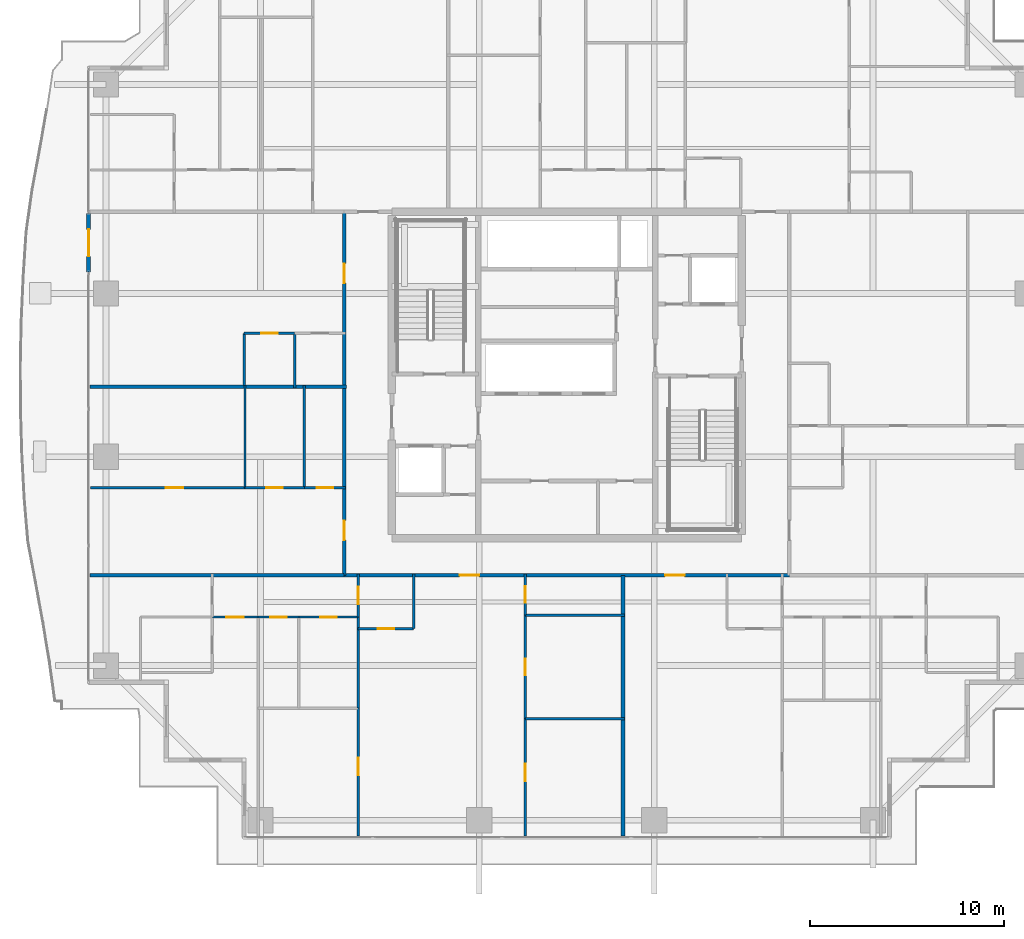
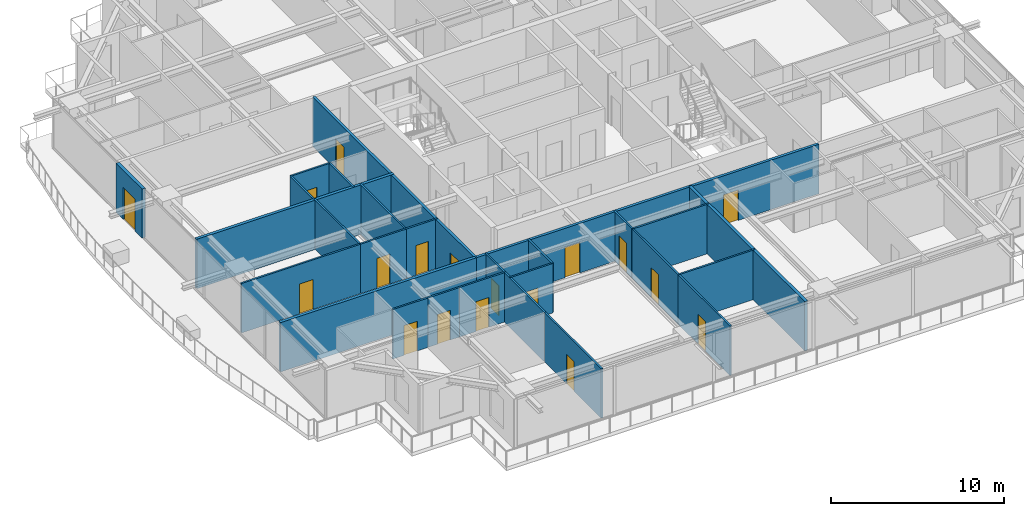
# One storey, part 26 of 37: 27 walls, 18 doors, 18 openings.
"""IFC4 building model written with IfcOpenShell, lengths in metres."""

from ifc_helpers import new_model, si_unit, direction, frame, frame_2d, origin, place, context, subcontext, project, spatial, rectangle, extrude, source, transform, mapped, material, layer, layer_set, type_object, element, fill, save


model = new_model("IFC4")

# Units and contexts
model_context = context("Model", 3, precision=1e-05, world=origin(), true_north=direction((0.0, 1.0)))
body_context = subcontext(model_context, "Body", "Model", "MODEL_VIEW")
ifc_project = project(units=[si_unit("LENGTHUNIT", "METRE"), si_unit("AREAUNIT", "SQUARE_METRE"), si_unit("VOLUMEUNIT", "CUBIC_METRE"), si_unit("PLANEANGLEUNIT", "RADIAN"), si_unit("MASSUNIT", "GRAM", prefix="KILO")], contexts=[model_context])

# Site, building, storey
site_placement = place(None, origin())
site = spatial("IfcSite", under=ifc_project, at=site_placement, CompositionType="ELEMENT")
building_placement = place(site_placement, origin())
building = spatial("IfcBuilding", under=site, at=building_placement, Name="Serunith Strait Residences", CompositionType="ELEMENT")
storey_placement = place(building_placement, frame((0.0, 0.0, 153.89990234375)))
storey = spatial("IfcBuildingStorey", under=building, at=storey_placement, Name="L38", CompositionType="ELEMENT", Elevation=153.89990234375)

# Wall, opening, door
ifc_material_1 = material(Name="Pale-Champagne Aluminium Insulated Panel", Category="aluminium")
ifc_layer_1 = layer(ifc_material_1, 0.219970703125, Name="Pale-Champagne Aluminium Insulated Panel")
ifc_layer_set_1 = layer_set([ifc_layer_1], Name="Pale-Champagne Aluminium Insulated Panel")
wall_type_1 = type_object("IfcWallType", Name="EW-ALUM-220", PredefinedType="ELEMENTEDWALL", material=ifc_layer_set_1)
wall_1_placement = place(storey_placement, frame((7.800048828125, 33.5, 0.0), z_axis=(0.0, 0.0, 1.0), x_axis=(0.0, -1.0, 0.0)))
wall_1 = element("IfcWall", 1, at=wall_1_placement, inside=storey, type_object=wall_type_1, Name="L38 W Facade Pier Wall", PredefinedType="ELEMENTEDWALL", context=body_context, shape_type="SweptSolid", body=[
    extrude(rectangle(XDim=3.0, YDim=0.219970703125, at=frame_2d((1.5, 0.0))), origin(), (0.0, 0.0, 1.0), 3.47509765625),
])
opening_1_placement = place(wall_1_placement, frame((0.800048828125, 0.0, 0.0)))
opening_1 = element("IfcOpeningElement", 2, at=opening_1_placement, cuts=wall_1, Name="Opening ED-04", PredefinedType="OPENING", context=body_context, shape_type="SweptSolid", body=[
    extrude(rectangle(XDim=1.39990234375, YDim=2.25, at=frame_2d((0.699951171875, 1.125))), frame((0.0, 0.1201171875, 0.0), z_axis=(0.0, -1.0, 0.0), x_axis=(1.0, 0.0, 0.0)), (0.0, 0.0, 1.0), 0.239990234375),
])
ifc_material_2 = material(Name="Thermally-Broken Aluminium Sliding Balcony Door", Category="aluminium")
door_type_1 = type_object("IfcDoorType", Name="ED-BALC-1400", OperationType="NOTDEFINED", PredefinedType="DOOR", material=ifc_material_2)
shared_shape_1 = source(origin(), body_context, "Body", "SweptSolid", [
    extrude(rectangle(XDim=1.39990234375, YDim=2.25, at=frame_2d((0.699951171875, 1.125))), frame((0.0, 0.02490234375, 0.0), z_axis=(0.0, -1.0, 0.0), x_axis=(1.0, 0.0, 0.0)), (0.0, 0.0, 1.0), 0.050048828125),
])
door_1_placement = place(opening_1_placement, origin())
door_1 = element("IfcDoor", 3, at=door_1_placement, inside=storey, type_object=door_type_1, Name="L38 W Vertical-Forest Balcony Door", OperationType="SLIDING_TO_LEFT", OverallHeight=2.25, OverallWidth=1.39990234375, PredefinedType="DOOR", context=body_context, shape_type="MappedRepresentation", body=[
    mapped(shared_shape_1, transform((0.0, 0.0, 0.0), scale=1.0)),
])
fill(opening_1, door_1)

# Wall, openings, doors
ifc_material_3 = material(Name="Fire-rated acoustic gypsum partition")
ifc_layer_2 = layer(ifc_material_3, 0.179931640625, Name="Fire-rated acoustic gypsum partition")
ifc_layer_set_2 = layer_set([ifc_layer_2], Name="Fire-rated acoustic gypsum partition")
wall_type_2 = type_object("IfcWallType", Name="IW-CORR-180", PredefinedType="PARTITIONING", material=ifc_layer_set_2)
wall_2_placement = place(storey_placement, frame((20.951904296875, 14.89990234375, 0.0), z_axis=(0.0, 0.0, 1.0), x_axis=(1.0, 0.0, 0.0)))
wall_2 = element("IfcWall", 4, at=wall_2_placement, inside=storey, type_object=wall_type_2, Name="L38 Partition Wall 027", PredefinedType="PARTITIONING", context=body_context, shape_type="SweptSolid", body=[
    extrude(rectangle(XDim=22.89599609375, YDim=0.179931640625, at=frame_2d((11.447998046875, 0.0))), origin(), (0.0, 0.0, 1.0), 3.489990234375),
])
opening_2_placement = place(wall_2_placement, frame((5.93408203125, 0.0, 0.0)))
opening_2 = element("IfcOpeningElement", 5, at=opening_2_placement, cuts=wall_2, Name="Opening D-APT1000", PredefinedType="OPENING", context=body_context, shape_type="SweptSolid", body=[
    extrude(rectangle(XDim=1.0, YDim=2.14990234375, at=frame_2d((0.5, 1.074951171875))), frame((0.0, 0.10009765625, 0.0), z_axis=(0.0, -1.0, 0.0), x_axis=(1.0, 0.0, 0.0)), (0.0, 0.0, 1.0), 0.199951171875),
])
opening_3_placement = place(wall_2_placement, frame((16.510009765625, 0.0, 0.0)))
opening_3 = element("IfcOpeningElement", 6, at=opening_3_placement, cuts=wall_2, Name="Opening D-APT1000", PredefinedType="OPENING", context=body_context, shape_type="SweptSolid", body=[
    extrude(rectangle(XDim=1.0, YDim=2.14990234375, at=frame_2d((0.5, 1.074951171875))), frame((0.0, 0.10009765625, 0.0), z_axis=(0.0, -1.0, 0.0), x_axis=(1.0, 0.0, 0.0)), (0.0, 0.0, 1.0), 0.199951171875),
])
ifc_material_4 = material(Name="Solid timber engineered fire door", Category="wood")
door_type_2 = type_object("IfcDoorType", Name="ID-APT-1000", OperationType="NOTDEFINED", PredefinedType="DOOR", material=ifc_material_4)
shared_shape_2 = source(origin(), body_context, "Body", "SweptSolid", [
    extrude(rectangle(XDim=1.0, YDim=2.14990234375, at=frame_2d((0.5, 1.074951171875))), frame((0.0, 0.02490234375, 0.0), z_axis=(0.0, -1.0, 0.0), x_axis=(1.0, 0.0, 0.0)), (0.0, 0.0, 1.0), 0.050048828125),
])
door_2_placement = place(opening_2_placement, origin())
door_2 = element("IfcDoor", 7, at=door_2_placement, inside=storey, type_object=door_type_2, Name="L38 Unit 01 Entrance Door", OperationType="SINGLE_SWING_RIGHT", OverallHeight=2.14990234375, OverallWidth=1.0, PredefinedType="DOOR", context=body_context, shape_type="MappedRepresentation", body=[
    mapped(shared_shape_2, transform((0.0, 0.0, 0.0), scale=1.0)),
])
fill(opening_2, door_2)
door_3_placement = place(opening_3_placement, origin())
door_3 = element("IfcDoor", 8, at=door_3_placement, inside=storey, type_object=door_type_2, Name="L38 Unit 02 Entrance Door", OperationType="SINGLE_SWING_LEFT", OverallHeight=2.14990234375, OverallWidth=1.0, PredefinedType="DOOR", context=body_context, shape_type="MappedRepresentation", body=[
    mapped(shared_shape_2, transform((0.0, 0.0, 0.0), scale=1.0)),
])
fill(opening_3, door_3)

wall_3_placement = place(storey_placement, frame((20.949951171875, 14.89990234375, 0.0), z_axis=(0.0, 0.0, 1.0), x_axis=(0.0, 1.0, 0.0)))
wall_3 = element("IfcWall", 9, at=wall_3_placement, inside=storey, type_object=wall_type_2, Name="L38 Partition Wall 028", PredefinedType="PARTITIONING", context=body_context, shape_type="SweptSolid", body=[
    extrude(rectangle(XDim=18.7001953125, YDim=0.179931640625, at=frame_2d((9.35009765625, 0.0))), origin(), (0.0, 0.0, 1.0), 3.489990234375),
])
opening_4_placement = place(wall_3_placement, frame((1.804931640625, 0.0, 0.0)))
opening_4 = element("IfcOpeningElement", 10, at=opening_4_placement, cuts=wall_3, Name="Opening D-APT1000", PredefinedType="OPENING", context=body_context, shape_type="SweptSolid", body=[
    extrude(rectangle(XDim=1.0, YDim=2.14990234375, at=frame_2d((0.5, 1.074951171875))), frame((0.0, 0.10009765625, 0.0), z_axis=(0.0, -1.0, 0.0), x_axis=(1.0, 0.0, 0.0)), (0.0, 0.0, 1.0), 0.199951171875),
])
opening_5_placement = place(wall_3_placement, frame((15.027099609375, 0.0, 0.0)))
opening_5 = element("IfcOpeningElement", 11, at=opening_5_placement, cuts=wall_3, Name="Opening D-APT1000", PredefinedType="OPENING", context=body_context, shape_type="SweptSolid", body=[
    extrude(rectangle(XDim=1.0, YDim=2.14990234375, at=frame_2d((0.5, 1.074951171875))), frame((0.0, 0.10009765625, 0.0), z_axis=(0.0, -1.0, 0.0), x_axis=(1.0, 0.0, 0.0)), (0.0, 0.0, 1.0), 0.199951171875),
])
door_4_placement = place(opening_4_placement, origin())
door_4 = element("IfcDoor", 12, at=door_4_placement, inside=storey, type_object=door_type_2, Name="L38 Unit 05 Entrance Door", OperationType="SINGLE_SWING_RIGHT", OverallHeight=2.14990234375, OverallWidth=1.0, PredefinedType="DOOR", context=body_context, shape_type="MappedRepresentation", body=[
    mapped(shared_shape_2, transform((0.0, 0.0, 0.0), scale=1.0)),
])
fill(opening_4, door_4)
door_5_placement = place(opening_5_placement, origin())
door_5 = element("IfcDoor", 13, at=door_5_placement, inside=storey, type_object=door_type_2, Name="L38 Unit 06 Entrance Door", OperationType="SINGLE_SWING_LEFT", OverallHeight=2.14990234375, OverallWidth=1.0, PredefinedType="DOOR", context=body_context, shape_type="MappedRepresentation", body=[
    mapped(shared_shape_2, transform((0.0, 0.0, 0.0), scale=1.0)),
])
fill(opening_5, door_5)

# Wall, opening, door
ifc_material_5 = material(Name="Lightweight steel-stud gypsum partition", Category="steel")
ifc_layer_3 = layer(ifc_material_5, 0.1201171875, Name="Lightweight steel-stud gypsum partition")
ifc_layer_set_3 = layer_set([ifc_layer_3], Name="Lightweight steel-stud gypsum partition")
wall_type_3 = type_object("IfcWallType", Name="IW-PART-120", PredefinedType="PARTITIONING", material=ifc_layer_set_3)
wall_4_placement = place(storey_placement, frame((21.669921875, 12.14990234375, 0.0), z_axis=(0.0, 0.0, 1.0), x_axis=(1.0, 0.0, 0.0)))
wall_4 = element("IfcWall", 14, at=wall_4_placement, inside=storey, type_object=wall_type_3, Name="L38 Partition Wall 032", PredefinedType="PARTITIONING", context=body_context, shape_type="SweptSolid", body=[
    extrude(rectangle(XDim=2.85009765625, YDim=0.1201171875, at=frame_2d((1.425048828125, 0.0))), origin(), (0.0, 0.0, 1.0), 3.489990234375),
])
opening_6_placement = place(wall_4_placement, frame((1.0, 0.0, 0.0)))
opening_6 = element("IfcOpeningElement", 15, at=opening_6_placement, cuts=wall_4, Name="Opening D-RM850", PredefinedType="OPENING", context=body_context, shape_type="SweptSolid", body=[
    extrude(rectangle(XDim=0.85009765625, YDim=2.10009765625, at=frame_2d((0.425048828125, 1.050048828125))), frame((0.0, 0.070068359375, 0.0), z_axis=(0.0, -1.0, 0.0), x_axis=(1.0, 0.0, 0.0)), (0.0, 0.0, 1.0), 0.14013671875),
])
ifc_material_6 = material(Name="Engineered timber flush study and kitchen door", Category="wood")
door_type_3 = type_object("IfcDoorType", Name="ID-ROOM-850", OperationType="NOTDEFINED", PredefinedType="DOOR", material=ifc_material_6)
shared_shape_3 = source(origin(), body_context, "Body", "SweptSolid", [
    extrude(rectangle(XDim=0.85009765625, YDim=2.10009765625, at=frame_2d((0.425048828125, 1.050048828125))), frame((0.0, 0.02490234375, 0.0), z_axis=(0.0, -1.0, 0.0), x_axis=(1.0, 0.0, 0.0)), (0.0, 0.0, 1.0), 0.050048828125),
])
door_6_placement = place(opening_6_placement, origin())
door_6 = element("IfcDoor", 16, at=door_6_placement, inside=storey, type_object=door_type_3, Name="L38 Kitchen 3801 Door", OperationType="SINGLE_SWING_LEFT", OverallHeight=2.10009765625, OverallWidth=0.85009765625, PredefinedType="DOOR", context=body_context, shape_type="MappedRepresentation", body=[
    mapped(shared_shape_3, transform((0.0, 0.0, 0.0), scale=1.0)),
])
fill(opening_6, door_6)

# Wall
wall_5_placement = place(storey_placement, frame((24.52001953125, 12.14990234375, 0.0), z_axis=(0.0, 0.0, 1.0), x_axis=(0.0, 1.0, 0.0)))
element("IfcWall", 17, at=wall_5_placement, inside=storey, type_object=wall_type_3, Name="L38 Partition Wall 033", PredefinedType="PARTITIONING", context=body_context, shape_type="SweptSolid", body=[
    extrude(rectangle(XDim=2.81005859375, YDim=0.1201171875, at=frame_2d((1.405029296875, 0.0))), origin(), (0.0, 0.0, 1.0), 3.489990234375),
])

# Wall, opening, door
wall_6_placement = place(storey_placement, frame((21.669921875, 12.75, 0.0), z_axis=(0.0, 0.0, 1.0), x_axis=(0.0, 1.0, 0.0)))
wall_6 = element("IfcWall", 18, at=wall_6_placement, inside=storey, type_object=wall_type_3, Name="L38 Partition Wall 034", PredefinedType="PARTITIONING", context=body_context, shape_type="SweptSolid", body=[
    extrude(rectangle(XDim=2.2099609375, YDim=0.1201171875, at=frame_2d((1.10498046875, 0.0))), origin(), (0.0, 0.0, 1.0), 3.489990234375),
])
opening_7_placement = place(wall_6_placement, frame((0.655029296875, 0.0, 0.0)))
opening_7 = element("IfcOpeningElement", 19, at=opening_7_placement, cuts=wall_6, Name="Opening D-RM900", PredefinedType="OPENING", context=body_context, shape_type="SweptSolid", body=[
    extrude(rectangle(XDim=0.89990234375, YDim=2.10009765625, at=frame_2d((0.449951171875, 1.050048828125))), frame((0.0, 0.070068359375, 0.0), z_axis=(0.0, -1.0, 0.0), x_axis=(1.0, 0.0, 0.0)), (0.0, 0.0, 1.0), 0.14013671875),
])
ifc_material_7 = material(Name="Engineered timber flush bedroom door", Category="wood")
door_type_4 = type_object("IfcDoorType", Name="ID-ROOM-900", OperationType="NOTDEFINED", PredefinedType="DOOR", material=ifc_material_7)
shared_shape_4 = source(origin(), body_context, "Body", "SweptSolid", [
    extrude(rectangle(XDim=0.89990234375, YDim=2.10009765625, at=frame_2d((0.449951171875, 1.050048828125))), frame((0.0, 0.02490234375, 0.0), z_axis=(0.0, -1.0, 0.0), x_axis=(1.0, 0.0, 0.0)), (0.0, 0.0, 1.0), 0.050048828125),
])
door_7_placement = place(opening_7_placement, origin())
door_7 = element("IfcDoor", 20, at=door_7_placement, inside=storey, type_object=door_type_4, Name="L38 Hall W 3801 Door", OperationType="SINGLE_SWING_RIGHT", OverallHeight=2.10009765625, OverallWidth=0.89990234375, PredefinedType="DOOR", context=body_context, shape_type="MappedRepresentation", body=[
    mapped(shared_shape_4, transform((0.0, 0.0, 0.0), scale=1.0)),
])
fill(opening_7, door_7)

wall_7_placement = place(storey_placement, frame((21.669921875, 1.4951171875, 0.0), z_axis=(0.0, 0.0, 1.0), x_axis=(0.0, 1.0, 0.0)))
wall_7 = element("IfcWall", 21, at=wall_7_placement, inside=storey, type_object=wall_type_3, Name="L38 Partition Wall 035", PredefinedType="PARTITIONING", context=body_context, shape_type="SweptSolid", body=[
    extrude(rectangle(XDim=6.56787109375, YDim=0.1201171875, at=frame_2d((3.283935546875, 0.0))), origin(), (0.0, 0.0, 1.0), 3.489990234375),
])
opening_8_placement = place(wall_7_placement, frame((3.116943359375, 0.0, 0.0)))
opening_8 = element("IfcOpeningElement", 22, at=opening_8_placement, cuts=wall_7, Name="Opening D-RM900", PredefinedType="OPENING", context=body_context, shape_type="SweptSolid", body=[
    extrude(rectangle(XDim=0.89990234375, YDim=2.10009765625, at=frame_2d((0.449951171875, 1.050048828125))), frame((0.0, 0.070068359375, 0.0), z_axis=(0.0, -1.0, 0.0), x_axis=(1.0, 0.0, 0.0)), (0.0, 0.0, 1.0), 0.14013671875),
])
door_8_placement = place(opening_8_placement, origin())
door_8 = element("IfcDoor", 23, at=door_8_placement, inside=storey, type_object=door_type_4, Name="L38 Formal Dining Room 1 3801 Door", OperationType="SINGLE_SWING_LEFT", OverallHeight=2.10009765625, OverallWidth=0.89990234375, PredefinedType="DOOR", context=body_context, shape_type="MappedRepresentation", body=[
    mapped(shared_shape_4, transform((0.0, 0.0, 0.0), scale=1.0)),
])
fill(opening_8, door_8)

# Wall
wall_8_placement = place(storey_placement, frame((21.669921875, 8.06494140625, 0.0), z_axis=(0.0, 0.0, 1.0), x_axis=(0.0, 1.0, 0.0)))
element("IfcWall", 24, at=wall_8_placement, inside=storey, type_object=wall_type_3, Name="L38 Partition Wall 036", PredefinedType="PARTITIONING", context=body_context, shape_type="SweptSolid", body=[
    extrude(rectangle(XDim=4.68310546875, YDim=0.1201171875, at=frame_2d((2.341552734375, 0.0))), origin(), (0.0, 0.0, 1.0), 3.489990234375),
])

# Wall, opening, door
wall_9_placement = place(storey_placement, frame((16.52001953125, 12.75, 0.0), z_axis=(0.0, 0.0, 1.0), x_axis=(1.0, 0.0, 0.0)))
wall_9 = element("IfcWall", 25, at=wall_9_placement, inside=storey, type_object=wall_type_3, Name="L38 Partition Wall 040", PredefinedType="PARTITIONING", context=body_context, shape_type="SweptSolid", body=[
    extrude(rectangle(XDim=2.10009765625, YDim=0.1201171875, at=frame_2d((1.050048828125, 0.0))), origin(), (0.0, 0.0, 1.0), 3.489990234375),
])
opening_9_placement = place(wall_9_placement, frame((0.625, 0.0, 0.0)))
opening_9 = element("IfcOpeningElement", 26, at=opening_9_placement, cuts=wall_9, Name="Opening D-BTH850", PredefinedType="OPENING", context=body_context, shape_type="SweptSolid", body=[
    extrude(rectangle(XDim=0.85009765625, YDim=2.10009765625, at=frame_2d((0.425048828125, 1.050048828125))), frame((0.0, 0.070068359375, 0.0), z_axis=(0.0, -1.0, 0.0), x_axis=(1.0, 0.0, 0.0)), (0.0, 0.0, 1.0), 0.14013671875),
])
ifc_material_8 = material(Name="Moisture-resistant timber bathroom door", Category="wood")
door_type_5 = type_object("IfcDoorType", Name="ID-BATH-850", OperationType="NOTDEFINED", PredefinedType="DOOR", material=ifc_material_8)
door_9_placement = place(opening_9_placement, origin())
door_9 = element("IfcDoor", 27, at=door_9_placement, inside=storey, type_object=door_type_5, Name="L38 Bathroom 3801 Door", OperationType="SINGLE_SWING_RIGHT", OverallHeight=2.10009765625, OverallWidth=0.85009765625, PredefinedType="DOOR", context=body_context, shape_type="MappedRepresentation", body=[
    mapped(shared_shape_3, transform((0.0, 0.0, 0.0), scale=1.0)),
])
fill(opening_9, door_9)

wall_10_placement = place(storey_placement, frame((18.6220703125, 12.75, 0.0), z_axis=(0.0, 0.0, 1.0), x_axis=(1.0, 0.0, 0.0)))
wall_10 = element("IfcWall", 28, at=wall_10_placement, inside=storey, type_object=wall_type_3, Name="L38 Partition Wall 041", PredefinedType="PARTITIONING", context=body_context, shape_type="SweptSolid", body=[
    extrude(rectangle(XDim=3.0478515625, YDim=0.1201171875, at=frame_2d((1.52392578125, 0.0))), origin(), (0.0, 0.0, 1.0), 3.489990234375),
])
opening_10_placement = place(wall_10_placement, frame((1.09912109375, 0.0, 0.0)))
opening_10 = element("IfcOpeningElement", 29, at=opening_10_placement, cuts=wall_10, Name="Opening D-RM850", PredefinedType="OPENING", context=body_context, shape_type="SweptSolid", body=[
    extrude(rectangle(XDim=0.85009765625, YDim=2.10009765625, at=frame_2d((0.425048828125, 1.050048828125))), frame((0.0, 0.070068359375, 0.0), z_axis=(0.0, -1.0, 0.0), x_axis=(1.0, 0.0, 0.0)), (0.0, 0.0, 1.0), 0.14013671875),
])
door_10_placement = place(opening_10_placement, origin())
door_10 = element("IfcDoor", 30, at=door_10_placement, inside=storey, type_object=door_type_3, Name="L38 Formal Dining Room 3801 Door", OperationType="SINGLE_SWING_LEFT", OverallHeight=2.10009765625, OverallWidth=0.85009765625, PredefinedType="DOOR", context=body_context, shape_type="MappedRepresentation", body=[
    mapped(shared_shape_3, transform((0.0, 0.0, 0.0), scale=1.0)),
])
fill(opening_10, door_10)

wall_11_placement = place(storey_placement, frame((14.169921875, 12.75, 0.0), z_axis=(0.0, 0.0, 1.0), x_axis=(1.0, 0.0, 0.0)))
wall_11 = element("IfcWall", 31, at=wall_11_placement, inside=storey, type_object=wall_type_3, Name="L38 Partition Wall 042", PredefinedType="PARTITIONING", context=body_context, shape_type="SweptSolid", body=[
    extrude(rectangle(XDim=2.34814453125, YDim=0.1201171875, at=frame_2d((1.174072265625, 0.0))), origin(), (0.0, 0.0, 1.0), 3.489990234375),
])
opening_11_placement = place(wall_11_placement, frame((0.72412109375, 0.0, 0.0)))
opening_11 = element("IfcOpeningElement", 32, at=opening_11_placement, cuts=wall_11, Name="Opening D-RM900", PredefinedType="OPENING", context=body_context, shape_type="SweptSolid", body=[
    extrude(rectangle(XDim=0.89990234375, YDim=2.10009765625, at=frame_2d((0.449951171875, 1.050048828125))), frame((0.0, 0.070068359375, 0.0), z_axis=(0.0, -1.0, 0.0), x_axis=(1.0, 0.0, 0.0)), (0.0, 0.0, 1.0), 0.14013671875),
])
door_11_placement = place(opening_11_placement, origin())
door_11 = element("IfcDoor", 33, at=door_11_placement, inside=storey, type_object=door_type_4, Name="L38 Master Bedroom W 3801 Door", OperationType="SINGLE_SWING_RIGHT", OverallHeight=2.10009765625, OverallWidth=0.89990234375, PredefinedType="DOOR", context=body_context, shape_type="MappedRepresentation", body=[
    mapped(shared_shape_4, transform((0.0, 0.0, 0.0), scale=1.0)),
])
fill(opening_11, door_11)

wall_12_placement = place(storey_placement, frame((30.27001953125, 1.4951171875, 0.0), z_axis=(0.0, 0.0, 1.0), x_axis=(0.0, 1.0, 0.0)))
wall_12 = element("IfcWall", 34, at=wall_12_placement, inside=storey, type_object=wall_type_3, Name="L38 Partition Wall 048", PredefinedType="PARTITIONING", context=body_context, shape_type="SweptSolid", body=[
    extrude(rectangle(XDim=6.02392578125, YDim=0.1201171875, at=frame_2d((3.011962890625, 0.0))), origin(), (0.0, 0.0, 1.0), 3.489990234375),
])
opening_12_placement = place(wall_12_placement, frame((2.818115234375, 0.0, 0.0)))
opening_12 = element("IfcOpeningElement", 35, at=opening_12_placement, cuts=wall_12, Name="Opening D-RM900", PredefinedType="OPENING", context=body_context, shape_type="SweptSolid", body=[
    extrude(rectangle(XDim=0.89990234375, YDim=2.10009765625, at=frame_2d((0.449951171875, 1.050048828125))), frame((0.0, 0.070068359375, 0.0), z_axis=(0.0, -1.0, 0.0), x_axis=(1.0, 0.0, 0.0)), (0.0, 0.0, 1.0), 0.14013671875),
])
door_12_placement = place(opening_12_placement, origin())
door_12 = element("IfcDoor", 36, at=door_12_placement, inside=storey, type_object=door_type_4, Name="L38 Bedroom 3 3801 Door", OperationType="SINGLE_SWING_LEFT", OverallHeight=2.10009765625, OverallWidth=0.89990234375, PredefinedType="DOOR", context=body_context, shape_type="MappedRepresentation", body=[
    mapped(shared_shape_4, transform((0.0, 0.0, 0.0), scale=1.0)),
])
fill(opening_12, door_12)

# Walls
for number, where, z_axis, x_axis, name in (
    (37, (30.27001953125, 7.51904296875, 0.0), (0.0, 0.0, 1.0), (1.0, 0.0, 0.0), "L38 Partition Wall 049"),
    (38, (30.27001953125, 12.85009765625, 0.0), (0.0, 0.0, 1.0), (1.0, 0.0, 0.0), "L38 Partition Wall 050"),
):
    element("IfcWall", number, at=place(storey_placement, frame(where, z_axis=z_axis, x_axis=x_axis)), inside=storey, type_object=wall_type_3, Name=name, PredefinedType="PARTITIONING", context=body_context, shape_type="SweptSolid", body=[
        extrude(rectangle(XDim=5.090087890625, YDim=0.1201171875, at=frame_2d((2.544921875, 0.0))), origin(), (0.0, 0.0, 1.0), 3.489990234375),
    ])

# Wall, opening, door
wall_13_placement = place(storey_placement, frame((30.27001953125, 7.52099609375, 0.0), z_axis=(0.0, 0.0, 1.0), x_axis=(0.0, 1.0, 0.0)))
wall_13 = element("IfcWall", 39, at=wall_13_placement, inside=storey, type_object=wall_type_3, Name="L38 Partition Wall 051", PredefinedType="PARTITIONING", context=body_context, shape_type="SweptSolid", body=[
    extrude(rectangle(XDim=5.3291015625, YDim=0.1201171875, at=frame_2d((2.66455078125, 0.0))), origin(), (0.0, 0.0, 1.0), 3.489990234375),
])
opening_13_placement = place(wall_13_placement, frame((2.239990234375, 0.0, 0.0)))
opening_13 = element("IfcOpeningElement", 40, at=opening_13_placement, cuts=wall_13, Name="Opening D-RM850", PredefinedType="OPENING", context=body_context, shape_type="SweptSolid", body=[
    extrude(rectangle(XDim=0.85009765625, YDim=2.10009765625, at=frame_2d((0.425048828125, 1.050048828125))), frame((0.0, 0.070068359375, 0.0), z_axis=(0.0, -1.0, 0.0), x_axis=(1.0, 0.0, 0.0)), (0.0, 0.0, 1.0), 0.14013671875),
])
door_13_placement = place(opening_13_placement, origin())
door_13 = element("IfcDoor", 41, at=door_13_placement, inside=storey, type_object=door_type_3, Name="L38 Walk-in Wardrobe 3801 Door", OperationType="SINGLE_SWING_RIGHT", OverallHeight=2.10009765625, OverallWidth=0.85009765625, PredefinedType="DOOR", context=body_context, shape_type="MappedRepresentation", body=[
    mapped(shared_shape_3, transform((0.0, 0.0, 0.0), scale=1.0)),
])
fill(opening_13, door_13)

wall_14_placement = place(storey_placement, frame((30.27001953125, 12.85205078125, 0.0), z_axis=(0.0, 0.0, 1.0), x_axis=(0.0, 1.0, 0.0)))
wall_14 = element("IfcWall", 42, at=wall_14_placement, inside=storey, type_object=wall_type_3, Name="L38 Partition Wall 052", PredefinedType="PARTITIONING", context=body_context, shape_type="SweptSolid", body=[
    extrude(rectangle(XDim=2.10791015625, YDim=0.1201171875, at=frame_2d((1.053955078125, 0.0))), origin(), (0.0, 0.0, 1.0), 3.489990234375),
])
opening_14_placement = place(wall_14_placement, frame((0.62890625, 0.0, 0.0)))
opening_14 = element("IfcOpeningElement", 43, at=opening_14_placement, cuts=wall_14, Name="Opening D-BTH850", PredefinedType="OPENING", context=body_context, shape_type="SweptSolid", body=[
    extrude(rectangle(XDim=0.85009765625, YDim=2.10009765625, at=frame_2d((0.425048828125, 1.050048828125))), frame((0.0, 0.070068359375, 0.0), z_axis=(0.0, -1.0, 0.0), x_axis=(1.0, 0.0, 0.0)), (0.0, 0.0, 1.0), 0.14013671875),
])
door_14_placement = place(opening_14_placement, origin())
door_14 = element("IfcDoor", 44, at=door_14_placement, inside=storey, type_object=door_type_5, Name="L38 Bathroom 3801 Door", OperationType="SINGLE_SWING_LEFT", OverallHeight=2.10009765625, OverallWidth=0.85009765625, PredefinedType="DOOR", context=body_context, shape_type="MappedRepresentation", body=[
    mapped(shared_shape_3, transform((0.0, 0.0, 0.0), scale=1.0)),
])
fill(opening_14, door_14)

wall_15_placement = place(storey_placement, frame((7.89501953125, 19.39990234375, 0.0), z_axis=(0.0, 0.0, 1.0), x_axis=(1.0, 0.0, 0.0)))
wall_15 = element("IfcWall", 45, at=wall_15_placement, inside=storey, type_object=wall_type_3, Name="L38 Partition Wall 104", PredefinedType="PARTITIONING", context=body_context, shape_type="SweptSolid", body=[
    extrude(rectangle(XDim=7.950927734375, YDim=0.1201171875, at=frame_2d((3.9755859375, 0.0))), origin(), (0.0, 0.0, 1.0), 3.489990234375),
])
opening_15_placement = place(wall_15_placement, frame((3.8779296875, 0.0, 0.0)))
opening_15 = element("IfcOpeningElement", 46, at=opening_15_placement, cuts=wall_15, Name="Opening D-RM900", PredefinedType="OPENING", context=body_context, shape_type="SweptSolid", body=[
    extrude(rectangle(XDim=0.89990234375, YDim=2.10009765625, at=frame_2d((0.449951171875, 1.050048828125))), frame((0.0, 0.070068359375, 0.0), z_axis=(0.0, -1.0, 0.0), x_axis=(1.0, 0.0, 0.0)), (0.0, 0.0, 1.0), 0.14013671875),
])
door_15_placement = place(opening_15_placement, origin())
door_15 = element("IfcDoor", 47, at=door_15_placement, inside=storey, type_object=door_type_4, Name="L38 Master Bedroom 1 3805 Door", OperationType="SINGLE_SWING_RIGHT", OverallHeight=2.10009765625, OverallWidth=0.89990234375, PredefinedType="DOOR", context=body_context, shape_type="MappedRepresentation", body=[
    mapped(shared_shape_4, transform((0.0, 0.0, 0.0), scale=1.0)),
])
fill(opening_15, door_15)

# Walls
for number, where, z_axis, x_axis, name in (
    (48, (15.845947265625, 19.39990234375, 0.0), (0.0, 0.0, 1.0), (0.0, 1.0, 0.0), "L38 Partition Wall 105"),
    (49, (18.89990234375, 19.39990234375, 0.0), (0.0, 0.0, 1.0), (0.0, 1.0, 0.0), "L38 Partition Wall 106"),
):
    element("IfcWall", number, at=place(storey_placement, frame(where, z_axis=z_axis, x_axis=x_axis)), inside=storey, type_object=wall_type_3, Name=name, PredefinedType="PARTITIONING", context=body_context, shape_type="SweptSolid", body=[
        extrude(rectangle(XDim=5.260009765625, YDim=0.1201171875, at=frame_2d((2.6298828125, 0.0))), origin(), (0.0, 0.0, 1.0), 3.489990234375),
    ])

# Wall, opening, door
wall_16_placement = place(storey_placement, frame((15.847900390625, 19.39990234375, 0.0), z_axis=(0.0, 0.0, 1.0), x_axis=(1.0, 0.0, 0.0)))
wall_16 = element("IfcWall", 50, at=wall_16_placement, inside=storey, type_object=wall_type_3, Name="L38 Partition Wall 107", PredefinedType="PARTITIONING", context=body_context, shape_type="SweptSolid", body=[
    extrude(rectangle(XDim=3.052001953125, YDim=0.1201171875, at=frame_2d((1.52587890625, 0.0))), origin(), (0.0, 0.0, 1.0), 3.489990234375),
])
opening_16_placement = place(wall_16_placement, frame((1.10107421875, 0.0, 0.0)))
opening_16 = element("IfcOpeningElement", 51, at=opening_16_placement, cuts=wall_16, Name="Opening D-RM850", PredefinedType="OPENING", context=body_context, shape_type="SweptSolid", body=[
    extrude(rectangle(XDim=0.85009765625, YDim=2.10009765625, at=frame_2d((0.425048828125, 1.050048828125))), frame((0.0, 0.070068359375, 0.0), z_axis=(0.0, -1.0, 0.0), x_axis=(1.0, 0.0, 0.0)), (0.0, 0.0, 1.0), 0.14013671875),
])
door_16_placement = place(opening_16_placement, origin())
door_16 = element("IfcDoor", 52, at=door_16_placement, inside=storey, type_object=door_type_3, Name="L38 Kitchen 3805 Door", OperationType="SINGLE_SWING_LEFT", OverallHeight=2.10009765625, OverallWidth=0.85009765625, PredefinedType="DOOR", context=body_context, shape_type="MappedRepresentation", body=[
    mapped(shared_shape_3, transform((0.0, 0.0, 0.0), scale=1.0)),
])
fill(opening_16, door_16)

wall_17_placement = place(storey_placement, frame((18.902099609375, 19.39990234375, 0.0), z_axis=(0.0, 0.0, 1.0), x_axis=(1.0, 0.0, 0.0)))
wall_17 = element("IfcWall", 53, at=wall_17_placement, inside=storey, type_object=wall_type_3, Name="L38 Partition Wall 108", PredefinedType="PARTITIONING", context=body_context, shape_type="SweptSolid", body=[
    extrude(rectangle(XDim=2.10791015625, YDim=0.1201171875, at=frame_2d((1.053955078125, 0.0))), origin(), (0.0, 0.0, 1.0), 3.489990234375),
])
opening_17_placement = place(wall_17_placement, frame((0.62890625, 0.0, 0.0)))
opening_17 = element("IfcOpeningElement", 54, at=opening_17_placement, cuts=wall_17, Name="Opening D-BTH850", PredefinedType="OPENING", context=body_context, shape_type="SweptSolid", body=[
    extrude(rectangle(XDim=0.85009765625, YDim=2.10009765625, at=frame_2d((0.425048828125, 1.050048828125))), frame((0.0, 0.070068359375, 0.0), z_axis=(0.0, -1.0, 0.0), x_axis=(1.0, 0.0, 0.0)), (0.0, 0.0, 1.0), 0.14013671875),
])
door_17_placement = place(opening_17_placement, origin())
door_17 = element("IfcDoor", 55, at=door_17_placement, inside=storey, type_object=door_type_5, Name="L38 Bathroom 3805 Door", OperationType="SINGLE_SWING_RIGHT", OverallHeight=2.10009765625, OverallWidth=0.85009765625, PredefinedType="DOOR", context=body_context, shape_type="MappedRepresentation", body=[
    mapped(shared_shape_3, transform((0.0, 0.0, 0.0), scale=1.0)),
])
fill(opening_17, door_17)

wall_18_placement = place(storey_placement, frame((15.800048828125, 27.35009765625, 0.0), z_axis=(0.0, 0.0, 1.0), x_axis=(1.0, 0.0, 0.0)))
wall_18 = element("IfcWall", 56, at=wall_18_placement, inside=storey, type_object=wall_type_3, Name="L38 Partition Wall 109", PredefinedType="PARTITIONING", context=body_context, shape_type="SweptSolid", body=[
    extrude(rectangle(XDim=2.599853515625, YDim=0.1201171875, at=frame_2d((1.2998046875, 0.0))), origin(), (0.0, 0.0, 1.0), 3.489990234375),
])
opening_18_placement = place(wall_18_placement, frame((0.875, 0.0, 0.0)))
opening_18 = element("IfcOpeningElement", 57, at=opening_18_placement, cuts=wall_18, Name="Opening D-RM850", PredefinedType="OPENING", context=body_context, shape_type="SweptSolid", body=[
    extrude(rectangle(XDim=0.85009765625, YDim=2.10009765625, at=frame_2d((0.425048828125, 1.050048828125))), frame((0.0, 0.070068359375, 0.0), z_axis=(0.0, -1.0, 0.0), x_axis=(1.0, 0.0, 0.0)), (0.0, 0.0, 1.0), 0.14013671875),
])
door_18_placement = place(opening_18_placement, origin())
door_18 = element("IfcDoor", 58, at=door_18_placement, inside=storey, type_object=door_type_3, Name="L38 Kitchen 3806 Door", OperationType="SINGLE_SWING_LEFT", OverallHeight=2.10009765625, OverallWidth=0.85009765625, PredefinedType="DOOR", context=body_context, shape_type="MappedRepresentation", body=[
    mapped(shared_shape_3, transform((0.0, 0.0, 0.0), scale=1.0)),
])
fill(opening_18, door_18)

# Walls
wall_19_placement = place(storey_placement, frame((18.39990234375, 24.5400390625, 0.0), z_axis=(0.0, 0.0, 1.0), x_axis=(0.0, 1.0, 0.0)))
element("IfcWall", 59, at=wall_19_placement, inside=storey, type_object=wall_type_3, Name="L38 Partition Wall 111", PredefinedType="PARTITIONING", context=body_context, shape_type="SweptSolid", body=[
    extrude(rectangle(XDim=2.81005859375, YDim=0.1201171875, at=frame_2d((1.405029296875, 0.0))), origin(), (0.0, 0.0, 1.0), 3.489990234375),
])
wall_20_placement = place(storey_placement, frame((15.800048828125, 24.662109375, 0.0), z_axis=(0.0, 0.0, 1.0), x_axis=(0.0, 1.0, 0.0)))
element("IfcWall", 60, at=wall_20_placement, inside=storey, type_object=wall_type_3, Name="L38 Partition Wall 112", PredefinedType="PARTITIONING", context=body_context, shape_type="SweptSolid", body=[
    extrude(rectangle(XDim=2.68798828125, YDim=0.1201171875, at=frame_2d((1.343994140625, 0.0))), origin(), (0.0, 0.0, 1.0), 3.489990234375),
])
ifc_material_9 = material(Name="Twin-stud acoustic gypsum board partition")
ifc_layer_4 = layer(ifc_material_9, 0.199951171875, Name="Twin-stud acoustic gypsum board partition")
ifc_layer_set_4 = layer_set([ifc_layer_4], Name="Twin-stud acoustic gypsum board partition")
wall_type_4 = type_object("IfcWallType", Name="IW-PARTY-200", PredefinedType="PARTITIONING", material=ifc_layer_set_4)
wall_21_placement = place(storey_placement, frame((35.300048828125, 1.48193359375, 0.0), z_axis=(0.0, 0.0, 1.0), x_axis=(0.0, 1.0, 0.0)))
element("IfcWall", 61, at=wall_21_placement, inside=storey, type_object=wall_type_4, Name="L38 Partition Wall 020", PredefinedType="PARTITIONING", context=body_context, shape_type="SweptSolid", body=[
    extrude(rectangle(XDim=13.41796875, YDim=0.199951171875, at=frame_2d((6.708984375, 0.0))), origin(), (0.0, 0.0, 1.0), 3.489990234375),
])
wall_22_placement = place(storey_placement, frame((7.882080078125, 24.60009765625, 0.0), z_axis=(0.0, 0.0, 1.0), x_axis=(1.0, 0.0, 0.0)))
element("IfcWall", 62, at=wall_22_placement, inside=storey, type_object=wall_type_4, Name="L38 Partition Wall 022", PredefinedType="PARTITIONING", context=body_context, shape_type="SweptSolid", body=[
    extrude(rectangle(XDim=13.18798828125, YDim=0.199951171875, at=frame_2d((6.593994140625, 0.0))), origin(), (0.0, 0.0, 1.0), 3.489990234375),
])
wall_23_placement = place(storey_placement, frame((7.882080078125, 14.89990234375, 0.0), z_axis=(0.0, 0.0, 1.0), x_axis=(1.0, 0.0, 0.0)))
element("IfcWall", 63, at=wall_23_placement, inside=storey, type_object=wall_type_4, Name="L38 Partition Wall 023", PredefinedType="PARTITIONING", context=body_context, shape_type="SweptSolid", body=[
    extrude(rectangle(XDim=13.06787109375, YDim=0.199951171875, at=frame_2d((6.533935546875, 0.0))), origin(), (0.0, 0.0, 1.0), 3.489990234375),
])

save(model, "model.ifc")
